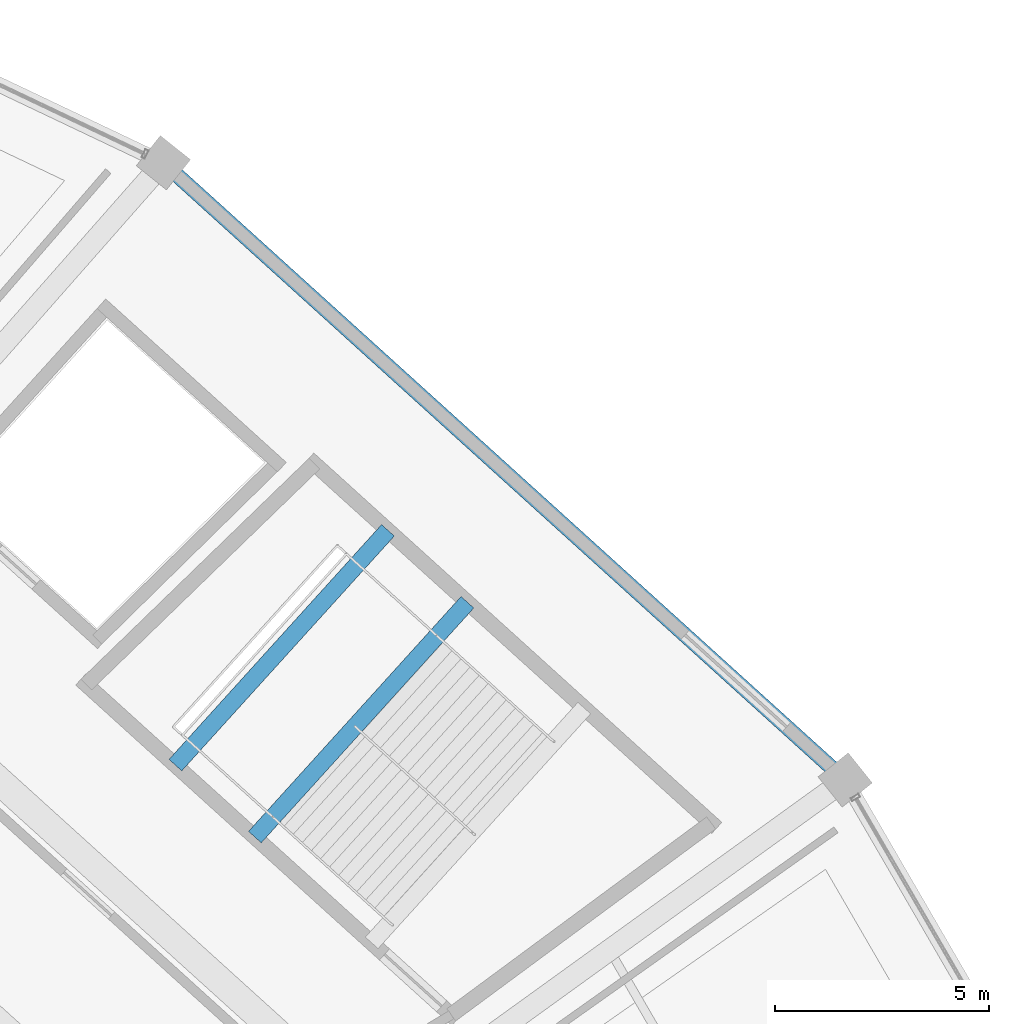
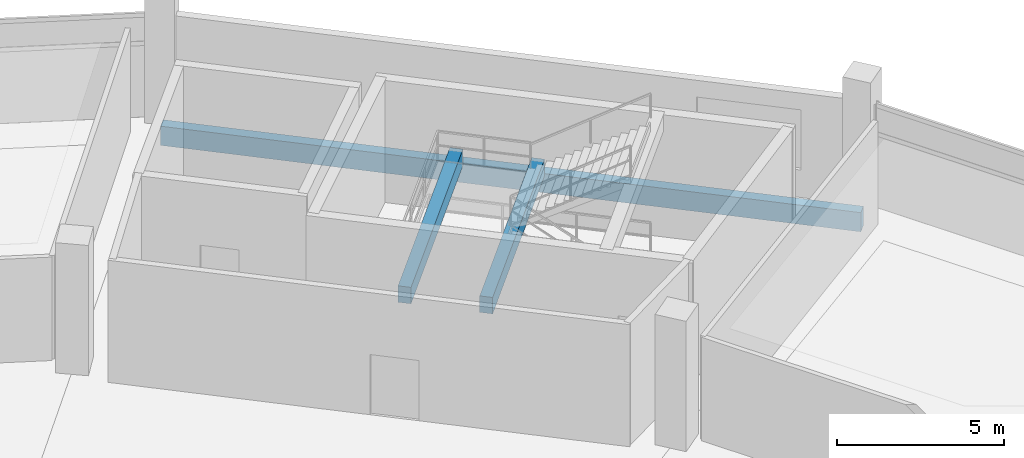
# One storey, part 114 of 171: 3 beams.
"""IFC4 building model written with IfcOpenShell, lengths in metres."""

from ifc_helpers import new_model, si_unit, direction, frame, origin, origin_2d, place, context, subcontext, project, spatial, rectangle, extrude, material, material_profile, profile_set, type_object, element, save


model = new_model("IFC4")

# Units and contexts
model_context = context("Model", 3, precision=1e-05, world=origin(), true_north=direction((0.0, 1.0)))
body_context = subcontext(model_context, "Body", "Model", "MODEL_VIEW")
ifc_project = project(units=[si_unit("LENGTHUNIT", "METRE"), si_unit("AREAUNIT", "SQUARE_METRE"), si_unit("VOLUMEUNIT", "CUBIC_METRE"), si_unit("PLANEANGLEUNIT", "RADIAN"), si_unit("MASSUNIT", "GRAM", prefix="KILO")], contexts=[model_context])

# Site, building, storey
site_placement = place(None, origin())
site = spatial("IfcSite", under=ifc_project, at=site_placement, CompositionType="ELEMENT")
building_placement = place(site_placement, origin())
building = spatial("IfcBuilding", under=site, at=building_placement, Name="Kazemori Nagisa Stadium", CompositionType="ELEMENT")
storey_placement = place(building_placement, frame((0.0, 0.0, 15.639892578125)))
storey = spatial("IfcBuildingStorey", under=building, at=storey_placement, Name="L03", CompositionType="ELEMENT", Elevation=15.639892578125)

# Beams
ifc_material = material(Name="Concrete C40/50 (Fc42)", Category="concrete")
ifc_material_profile_1 = material_profile(ifc_material, rectangle(XDim=0.39990234375, YDim=0.60009765625, at=origin_2d()), Name="RC-BM-400x600")
ifc_profile_set_1 = profile_set([ifc_material_profile_1], Name="Concrete C40/50 (Fc42)")
beam_type_1 = type_object("IfcBeamType", Name="Beam_BG-LND400X600", PredefinedType="BEAM", material=ifc_profile_set_1)
for number, where, z_axis, x_axis, name in (
    (1, (187.72998046875, 157.33447265625, 1.880126953125), (0.671113236271, 0.74135485707, 0.0), (-0.74135485707, 0.671113236271, 0.0), "Core stair mid-landing girder ST01-L03-1"),
    (2, (185.876708984375, 159.01220703125, 1.880126953125), (0.671113236271, 0.74135485707, 0.0), (-0.74135485707, 0.671113236271, 0.0), "Core stair mid-landing girder ST01-L03-2"),
):
    element("IfcBeam", number, at=place(storey_placement, frame(where, z_axis=z_axis, x_axis=x_axis)), inside=storey, type_object=beam_type_1, Name=name, PredefinedType="BEAM", context=body_context, shape_type="SweptSolid", body=[
        extrude(rectangle(XDim=0.39990234375, YDim=0.60009765625, at=origin_2d()), origin(), (0.0, 0.0, 1.0), 7.385986328125),
    ])
ifc_material_profile_2 = material_profile(ifc_material, rectangle(XDim=0.35009765625, YDim=0.699951171875, at=origin_2d()), Name="RC-SP-350x700")
ifc_profile_set_2 = profile_set([ifc_material_profile_2], Name="Concrete C40/50 (Fc42)")
beam_type_2 = type_object("IfcBeamType", Name="Beam_BS-RC350X700", PredefinedType="SPANDREL", material=ifc_profile_set_2)
beam_placement = place(storey_placement, frame((201.495361328125, 158.667724609375, -0.60986328125), z_axis=(-0.741351531326, 0.671116910084, 0.0), x_axis=(-0.671116910084, -0.741351531326, 0.0)))
element("IfcBeam", 3, at=beam_placement, inside=storey, type_object=beam_type_2, Name="Ring girder BS-RC350X700 L03 R3-04", PredefinedType="SPANDREL", context=body_context, shape_type="SweptSolid", body=[
    extrude(rectangle(XDim=0.35009765625, YDim=0.699951171875, at=origin_2d()), origin(), (0.0, 0.0, 1.0), 21.44384765625),
])

save(model, "model.ifc")
